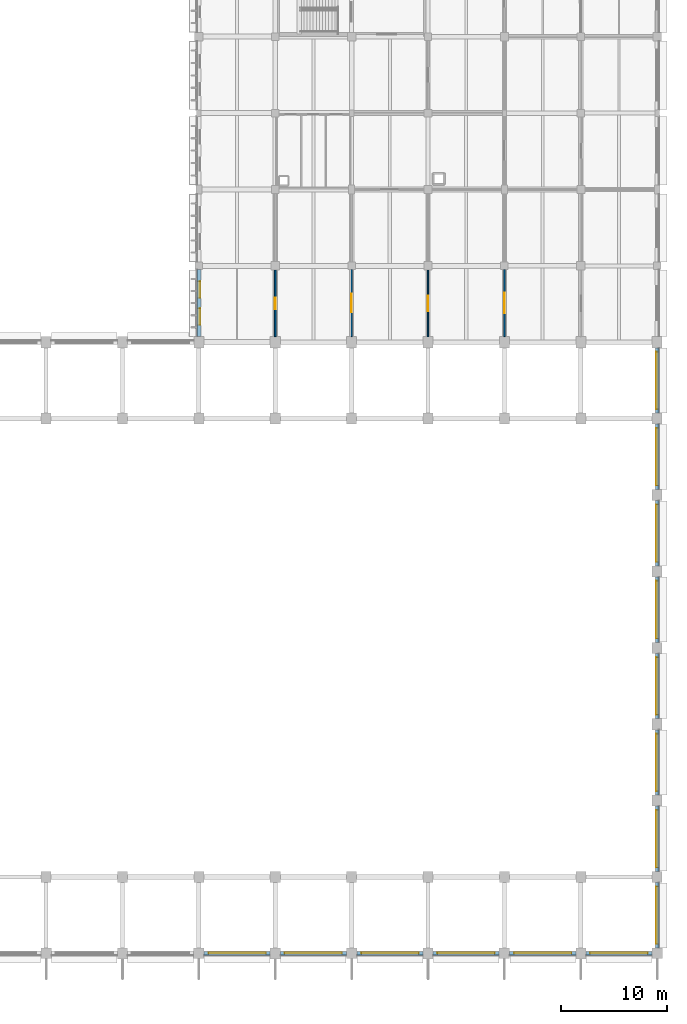
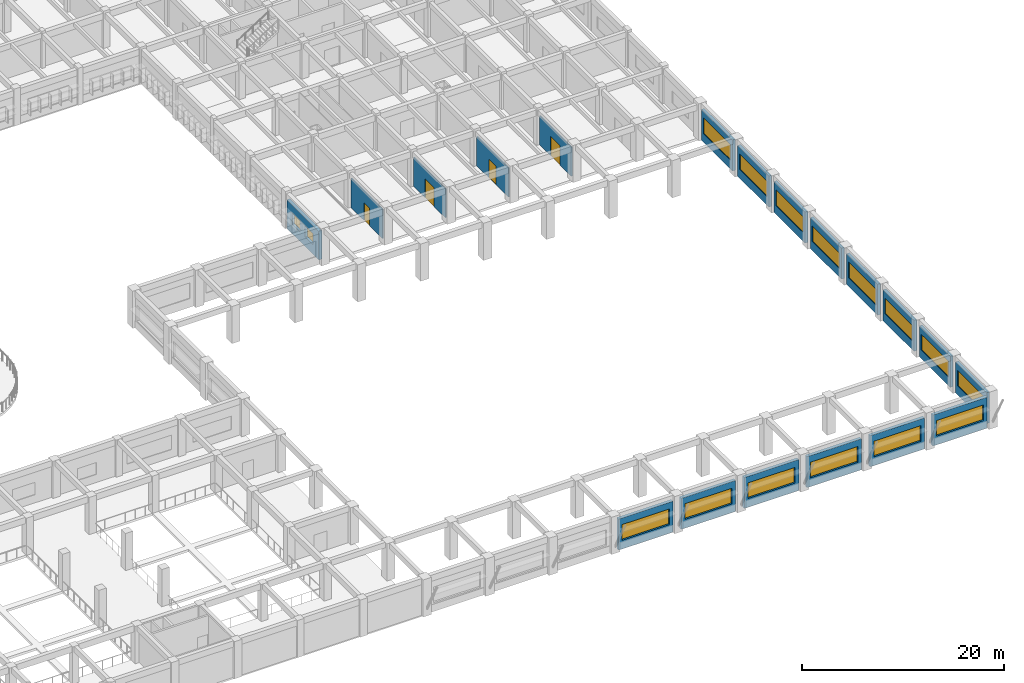
# One storey, part 49 of 61: 19 walls, 16 windows, 4 doors, 20 openings.
"""IFC4 building model written with IfcOpenShell, lengths in metres."""

import ifcopenshell
import ifcopenshell.guid

model = None  # the IFC model being written
_history = None  # IfcOwnerHistory: only IFC2X3 demands one
_inside = {}  # id of a spatial element -> (the spatial element, [elements in it])
_under = {}  # id of a project, library or spatial element -> (it, [spatial elements below it])
_declared = {}  # id of a project -> (the project, [libraries it declares])
_typed = {}  # id of a type object -> (the type object, [elements of that type])
_made_of = {}  # id of a material, layer set ... -> (it, [elements and type objects made of it])


def new_model(schema):
    """Start an empty IFC model of exactly this schema.

    Asked for "IFC4X3", IfcOpenShell would pick the latest addendum, in which some entities
    have other attributes; the version numbers below select the first issue.
    IFC2X3 requires an IfcOwnerHistory on every rooted entity: one is made here for all.
    """
    global model, _history
    if schema == "IFC4X3":
        model = ifcopenshell.file(schema_version=(4, 3, 0, 0))
    else:
        model = ifcopenshell.file(schema=schema)
    _inside.clear()
    _under.clear()
    _declared.clear()
    _typed.clear()
    _made_of.clear()
    _history = None
    if model.schema == "IFC2X3":
        org = make("IfcOrganization", Name="unknown")
        user = make(
            "IfcPersonAndOrganization",
            ThePerson=make("IfcPerson", FamilyName="unknown"),
            TheOrganization=org,
        )
        app = make(
            "IfcApplication",
            ApplicationDeveloper=org,
            Version="unknown",
            ApplicationFullName="unknown",
            ApplicationIdentifier="unknown",
        )
        _history = make(
            "IfcOwnerHistory",
            OwningUser=user,
            OwningApplication=app,
            ChangeAction="ADDED",
            CreationDate=0,
        )
    return model


def make(cls, **values):
    """One entity of the class cls with the attributes given. An attribute that is None is left unset."""
    return model.create_entity(
        cls, **{name: value for name, value in values.items() if value is not None}
    )


def rooted(cls, **values):
    """An entity with a GlobalId (a new one), such as an element, a storey or a relation."""
    return make(cls, GlobalId=ifcopenshell.guid.new(), OwnerHistory=_history, **values)


def si_unit(unit_type, name, prefix=None):
    """IfcSIUnit, for example si_unit("LENGTHUNIT", "METRE", prefix="MILLI")."""
    return make("IfcSIUnit", UnitType=unit_type, Prefix=prefix, Name=name)


def assignment(units):
    """IfcUnitAssignment: the units of a project."""
    return None if units is None else make("IfcUnitAssignment", Units=units)


def point(xyz):
    """IfcCartesianPoint."""
    return None if xyz is None else make("IfcCartesianPoint", Coordinates=xyz)


def direction(xyz):
    """IfcDirection."""
    return None if xyz is None else make("IfcDirection", DirectionRatios=xyz)


def frame(location, z_axis=None, x_axis=None):
    """IfcAxis2Placement3D, a coordinate frame: its origin and axes. An axis left out is left unset."""
    return make(
        "IfcAxis2Placement3D",
        Location=point(location),
        Axis=direction(z_axis),
        RefDirection=direction(x_axis),
    )


def frame_2d(location, x_axis=None):
    """IfcAxis2Placement2D, a coordinate frame in the plane: its origin and x axis."""
    return make(
        "IfcAxis2Placement2D", Location=point(location), RefDirection=direction(x_axis)
    )


def origin():
    """The frame at (0, 0, 0) with its axes left unset."""
    return frame((0.0, 0.0, 0.0))


def place(relative_to, where):
    """IfcLocalPlacement: puts the frame where relative to a parent placement (None: the world)."""
    return make(
        "IfcLocalPlacement", PlacementRelTo=relative_to, RelativePlacement=where
    )


def context(
    kind, dimensions, precision=None, world=None, true_north=None, identifier=None
):
    """IfcGeometricRepresentationContext, for example the 3D "Model" context."""
    return make(
        "IfcGeometricRepresentationContext",
        ContextIdentifier=identifier,
        ContextType=kind,
        CoordinateSpaceDimension=dimensions,
        Precision=precision,
        WorldCoordinateSystem=world,
        TrueNorth=true_north,
    )


def subcontext(parent, identifier, kind, view, scale=None):
    """IfcGeometricRepresentationSubContext, for example "Body" below "Model"."""
    return make(
        "IfcGeometricRepresentationSubContext",
        ContextIdentifier=identifier,
        ContextType=kind,
        ParentContext=parent,
        TargetScale=scale,
        TargetView=view,
    )


def project(units=None, contexts=None):
    """IfcProject with its units and contexts."""
    return rooted(
        "IfcProject",
        Name="project",
        RepresentationContexts=contexts,
        UnitsInContext=assignment(units),
    )


def spatial(cls, under=None, at=None, **own):
    """A site, building, storey or space (cls), placed at a placement, below another one or the project."""
    s = rooted(cls, ObjectPlacement=at, **own)
    if under is not None:
        _under.setdefault(under.id(), (under, []))[1].append(s)
    return s


def profile(cls, at=None, kind="AREA", **sizes):
    """A parametric profile (cls). Its sizes go by their IFC names, for example OverallWidth=200.0."""
    return make(cls, ProfileType=kind, Position=at, **sizes)


def rectangle(**sizes):
    """IfcRectangleProfileDef."""
    return profile("IfcRectangleProfileDef", **sizes)


def extrude(swept, where, along, depth):
    """IfcExtrudedAreaSolid: the profile swept, set in the frame where, extruded along a direction by depth."""
    return make(
        "IfcExtrudedAreaSolid",
        SweptArea=swept,
        Position=where,
        ExtrudedDirection=direction(along),
        Depth=depth,
    )


def shape(context_of_items, identifier, shape_type, items):
    """IfcShapeRepresentation: the items that make up one representation, for example the "Body"."""
    return make(
        "IfcShapeRepresentation",
        ContextOfItems=context_of_items,
        RepresentationIdentifier=identifier,
        RepresentationType=shape_type,
        Items=items,
    )


def material(Name=None, Category=None):
    """IfcMaterial."""
    return make("IfcMaterial", Name=Name, Category=Category)


def layer(
    of_material, thickness, ventilated=None, Name=None, Category=None, Priority=None
):
    """IfcMaterialLayer: one layer of a wall or slab, of a material (None: an air gap)."""
    return make(
        "IfcMaterialLayer",
        Material=of_material,
        LayerThickness=thickness,
        IsVentilated=ventilated,
        Name=Name,
        Category=Category,
        Priority=Priority,
    )


def layer_set(layers, Name=None):
    """IfcMaterialLayerSet."""
    return make("IfcMaterialLayerSet", MaterialLayers=layers, LayerSetName=Name)


def made_of(thing, what):
    """Note that an element or type object is made of a material, layer set ...; save() writes the relation."""
    if what is not None:
        _made_of.setdefault(what.id(), (what, []))[1].append(thing)
    return thing


def type_object(cls, material=None, **own):
    """A type object (cls), such as IfcWallType, which elements share."""
    return made_of(rooted(cls, **own), material)


def element(
    cls,
    number,
    at=None,
    inside=None,
    cuts=None,
    type_object=None,
    material=None,
    context=None,
    identifier="Body",
    shape_type=None,
    held_by="IfcProductDefinitionShape",
    body=None,
    shapes=None,
    **own,
):
    """One element of the class cls, such as IfcWall. Its Tag is "e" and its number.

    at: its placement. inside: the storey or other place that contains it. cuts: it is an
    opening in that element (IfcRelVoidsElement). A single representation is given by context,
    identifier, shape_type and body (its items); several are given by shapes. held_by: the class
    of the entity that holds the representations. save() writes the other relations.
    """
    e = rooted(cls, Tag="e%d" % number, ObjectPlacement=at, **own)
    if body is not None:
        shapes = [shape(context, identifier, shape_type, body)]
    if shapes is not None:
        e.Representation = make(held_by, Representations=shapes)
    if inside is not None:
        _inside.setdefault(inside.id(), (inside, []))[1].append(e)
    if cuts is not None:
        rooted(
            "IfcRelVoidsElement", RelatingBuildingElement=cuts, RelatedOpeningElement=e
        )
    if type_object is not None:
        _typed.setdefault(type_object.id(), (type_object, []))[1].append(e)
    return made_of(e, material)


def fill(opening, filler):
    """IfcRelFillsElement: the door or window that sits in an opening."""
    return rooted(
        "IfcRelFillsElement",
        RelatingOpeningElement=opening,
        RelatedBuildingElement=filler,
    )


def aggregate(whole, parts):
    """IfcRelAggregates: a whole, such as a stair, and the parts it consists of."""
    return rooted("IfcRelAggregates", RelatingObject=whole, RelatedObjects=parts)


def save(model, path):
    """Write the relations noted so far, then the file.

    IfcRelAggregates (storeys below a building ...), IfcRelContainedInSpatialStructure (elements
    in a storey), IfcRelDefinesByType, IfcRelAssociatesMaterial and IfcRelDeclares: one each for
    every whole, place, type object, material and project.
    """
    for whole, parts in _under.values():
        aggregate(whole, parts)
    for where, things in _inside.values():
        rooted(
            "IfcRelContainedInSpatialStructure",
            RelatedElements=things,
            RelatingStructure=where,
        )
    for kind, things in _typed.values():
        rooted("IfcRelDefinesByType", RelatedObjects=things, RelatingType=kind)
    for what, things in _made_of.values():
        rooted("IfcRelAssociatesMaterial", RelatedObjects=things, RelatingMaterial=what)
    for by, libraries in _declared.values():
        rooted("IfcRelDeclares", RelatingContext=by, RelatedDefinitions=libraries)
    model.write(path)


model = new_model("IFC4")

# Units and contexts
model_context = context("Model", 3, precision=1e-05, world=origin(), true_north=direction((0.0, 1.0)))
body_context = subcontext(model_context, "Body", "Model", "MODEL_VIEW")
ifc_project = project(units=[si_unit("LENGTHUNIT", "METRE"), si_unit("AREAUNIT", "SQUARE_METRE"), si_unit("VOLUMEUNIT", "CUBIC_METRE"), si_unit("PLANEANGLEUNIT", "RADIAN"), si_unit("MASSUNIT", "GRAM", prefix="KILO")], contexts=[model_context])

# Site, building, storey
site_placement = place(None, origin())
site = spatial("IfcSite", under=ifc_project, at=site_placement, CompositionType="ELEMENT")
building_placement = place(site_placement, origin())
building = spatial("IfcBuilding", under=site, at=building_placement, Name="Thalmaran Polytechnic", CompositionType="ELEMENT")
storey_placement = place(building_placement, frame((0.0, 0.0, 9.89990234375)))
storey = spatial("IfcBuildingStorey", under=building, at=storey_placement, Name="L02", CompositionType="ELEMENT", Elevation=9.89990234375)

# Wall, opening, window
ifc_material_1 = material(Name="Precast concrete C40/50", Category="concrete")
ifc_layer_1 = layer(ifc_material_1, 0.360107421875, Name="Precast concrete C40/50")
ifc_layer_set_1 = layer_set([ifc_layer_1], Name="Precast concrete C40/50")
wall_type_1 = type_object("IfcWallType", Name="WL-EW01", PredefinedType="STANDARD", material=ifc_layer_set_1)
wall_1_placement = place(storey_placement, frame((172.300048828125, 0.0, 0.0), z_axis=(0.0, 0.0, 1.0), x_axis=(-1.0, 0.0, 0.0)))
wall_1 = element("IfcWall", 1, at=wall_1_placement, inside=storey, type_object=wall_type_1, Name="Exterior Precast Facade Wall L02-069", PredefinedType="STANDARD", context=body_context, shape_type="SweptSolid", body=[
    extrude(rectangle(XDim=6.22509765625, YDim=0.360107421875, at=frame_2d((3.112548828125, 0.0))), origin(), (0.0, 0.0, 1.0), 3.7451171875),
])
opening_1_placement = place(wall_1_placement, frame((0.41259765625, 0.0, 1.050048828125)))
opening_1 = element("IfcOpeningElement", 2, at=opening_1_placement, cuts=wall_1, Name="Opening CL01", PredefinedType="OPENING", context=body_context, shape_type="SweptSolid", body=[
    extrude(rectangle(XDim=5.39990234375, YDim=1.89990234375, at=frame_2d((2.699951171875, 0.949951171875))), frame((0.0, 0.18994140625, 0.0), z_axis=(0.0, -1.0, 0.0), x_axis=(1.0, 0.0, 0.0)), (0.0, 0.0, 1.0), 0.380126953125),
])
ifc_material_2 = material(Name="Thermally broken aluminium and double low-E glass", Category="aluminium")
window_type_1 = type_object("IfcWindowType", Name="WN-CL01", PartitioningType="TRIPLE_PANEL_HORIZONTAL", PredefinedType="WINDOW", material=ifc_material_2)
window_1_placement = place(opening_1_placement, origin())
window_1 = element("IfcWindow", 3, at=window_1_placement, inside=storey, type_object=window_type_1, Name="Workshop Clerestory Window W-0269", OverallHeight=1.89990234375, OverallWidth=5.39990234375, PartitioningType="SINGLE_PANEL", PredefinedType="WINDOW", context=body_context, shape_type="SweptSolid", body=[
    extrude(rectangle(XDim=5.39990234375, YDim=1.89990234375, at=frame_2d((2.699951171875, 0.949951171875))), frame((0.0, -0.02001953125, 0.0), z_axis=(0.0, -1.0, 0.0), x_axis=(1.0, 0.0, 0.0)), (0.0, 0.0, 1.0), 0.06005859375),
])
fill(opening_1, window_1)

wall_2_placement = place(storey_placement, frame((165.125, 0.0, 0.0), z_axis=(0.0, 0.0, 1.0), x_axis=(-1.0, 0.0, 0.0)))
wall_2 = element("IfcWall", 4, at=wall_2_placement, inside=storey, type_object=wall_type_1, Name="Exterior Precast Facade Wall L02-070", PredefinedType="STANDARD", context=body_context, shape_type="SweptSolid", body=[
    extrude(rectangle(XDim=6.22509765625, YDim=0.360107421875, at=frame_2d((3.112548828125, 0.0))), origin(), (0.0, 0.0, 1.0), 3.7451171875),
])
opening_2_placement = place(wall_2_placement, frame((0.41259765625, 0.0, 1.050048828125)))
opening_2 = element("IfcOpeningElement", 5, at=opening_2_placement, cuts=wall_2, Name="Opening CL01", PredefinedType="OPENING", context=body_context, shape_type="SweptSolid", body=[
    extrude(rectangle(XDim=5.39990234375, YDim=1.89990234375, at=frame_2d((2.699951171875, 0.949951171875))), frame((0.0, 0.18994140625, 0.0), z_axis=(0.0, -1.0, 0.0), x_axis=(1.0, 0.0, 0.0)), (0.0, 0.0, 1.0), 0.380126953125),
])
window_2_placement = place(opening_2_placement, origin())
window_2 = element("IfcWindow", 6, at=window_2_placement, inside=storey, type_object=window_type_1, Name="Workshop Clerestory Window W-0270", OverallHeight=1.89990234375, OverallWidth=5.39990234375, PartitioningType="SINGLE_PANEL", PredefinedType="WINDOW", context=body_context, shape_type="SweptSolid", body=[
    extrude(rectangle(XDim=5.39990234375, YDim=1.89990234375, at=frame_2d((2.699951171875, 0.949951171875))), frame((0.0, -0.02001953125, 0.0), z_axis=(0.0, -1.0, 0.0), x_axis=(1.0, 0.0, 0.0)), (0.0, 0.0, 1.0), 0.06005859375),
])
fill(opening_2, window_2)

wall_3_placement = place(storey_placement, frame((157.89990234375, 0.0, 0.0), z_axis=(0.0, 0.0, 1.0), x_axis=(-1.0, 0.0, 0.0)))
wall_3 = element("IfcWall", 7, at=wall_3_placement, inside=storey, type_object=wall_type_1, Name="Exterior Precast Facade Wall L02-071", PredefinedType="STANDARD", context=body_context, shape_type="SweptSolid", body=[
    extrude(rectangle(XDim=6.224853515625, YDim=0.360107421875, at=frame_2d((3.1123046875, 0.0))), origin(), (0.0, 0.0, 1.0), 3.7451171875),
])
opening_3_placement = place(wall_3_placement, frame((0.41259765625, 0.0, 1.050048828125)))
opening_3 = element("IfcOpeningElement", 8, at=opening_3_placement, cuts=wall_3, Name="Opening CL01", PredefinedType="OPENING", context=body_context, shape_type="SweptSolid", body=[
    extrude(rectangle(XDim=5.39990234375, YDim=1.89990234375, at=frame_2d((2.699951171875, 0.949951171875))), frame((0.0, 0.18994140625, 0.0), z_axis=(0.0, -1.0, 0.0), x_axis=(1.0, 0.0, 0.0)), (0.0, 0.0, 1.0), 0.380126953125),
])
window_3_placement = place(opening_3_placement, origin())
window_3 = element("IfcWindow", 9, at=window_3_placement, inside=storey, type_object=window_type_1, Name="Workshop Clerestory Window W-0271", OverallHeight=1.89990234375, OverallWidth=5.39990234375, PartitioningType="SINGLE_PANEL", PredefinedType="WINDOW", context=body_context, shape_type="SweptSolid", body=[
    extrude(rectangle(XDim=5.39990234375, YDim=1.89990234375, at=frame_2d((2.699951171875, 0.949951171875))), frame((0.0, -0.02001953125, 0.0), z_axis=(0.0, -1.0, 0.0), x_axis=(1.0, 0.0, 0.0)), (0.0, 0.0, 1.0), 0.06005859375),
])
fill(opening_3, window_3)

wall_4_placement = place(storey_placement, frame((150.72509765625, 0.0, 0.0), z_axis=(0.0, 0.0, 1.0), x_axis=(-1.0, 0.0, 0.0)))
wall_4 = element("IfcWall", 10, at=wall_4_placement, inside=storey, type_object=wall_type_1, Name="Exterior Precast Facade Wall L02-072", PredefinedType="STANDARD", context=body_context, shape_type="SweptSolid", body=[
    extrude(rectangle(XDim=6.22509765625, YDim=0.360107421875, at=frame_2d((3.112548828125, 0.0))), origin(), (0.0, 0.0, 1.0), 3.7451171875),
])
opening_4_placement = place(wall_4_placement, frame((0.41259765625, 0.0, 1.050048828125)))
opening_4 = element("IfcOpeningElement", 11, at=opening_4_placement, cuts=wall_4, Name="Opening CL01", PredefinedType="OPENING", context=body_context, shape_type="SweptSolid", body=[
    extrude(rectangle(XDim=5.39990234375, YDim=1.89990234375, at=frame_2d((2.699951171875, 0.949951171875))), frame((0.0, 0.18994140625, 0.0), z_axis=(0.0, -1.0, 0.0), x_axis=(1.0, 0.0, 0.0)), (0.0, 0.0, 1.0), 0.380126953125),
])
window_4_placement = place(opening_4_placement, origin())
window_4 = element("IfcWindow", 12, at=window_4_placement, inside=storey, type_object=window_type_1, Name="Workshop Clerestory Window W-0272", OverallHeight=1.89990234375, OverallWidth=5.39990234375, PartitioningType="SINGLE_PANEL", PredefinedType="WINDOW", context=body_context, shape_type="SweptSolid", body=[
    extrude(rectangle(XDim=5.39990234375, YDim=1.89990234375, at=frame_2d((2.699951171875, 0.949951171875))), frame((0.0, -0.02001953125, 0.0), z_axis=(0.0, -1.0, 0.0), x_axis=(1.0, 0.0, 0.0)), (0.0, 0.0, 1.0), 0.06005859375),
])
fill(opening_4, window_4)

wall_5_placement = place(storey_placement, frame((143.5, 0.0, 0.0), z_axis=(0.0, 0.0, 1.0), x_axis=(-1.0, 0.0, 0.0)))
wall_5 = element("IfcWall", 13, at=wall_5_placement, inside=storey, type_object=wall_type_1, Name="Exterior Precast Facade Wall L02-073", PredefinedType="STANDARD", context=body_context, shape_type="SweptSolid", body=[
    extrude(rectangle(XDim=6.22509765625, YDim=0.360107421875, at=frame_2d((3.112548828125, 0.0))), origin(), (0.0, 0.0, 1.0), 3.7451171875),
])
opening_5_placement = place(wall_5_placement, frame((0.41259765625, 0.0, 1.050048828125)))
opening_5 = element("IfcOpeningElement", 14, at=opening_5_placement, cuts=wall_5, Name="Opening CL01", PredefinedType="OPENING", context=body_context, shape_type="SweptSolid", body=[
    extrude(rectangle(XDim=5.39990234375, YDim=1.89990234375, at=frame_2d((2.699951171875, 0.949951171875))), frame((0.0, 0.18994140625, 0.0), z_axis=(0.0, -1.0, 0.0), x_axis=(1.0, 0.0, 0.0)), (0.0, 0.0, 1.0), 0.380126953125),
])
window_5_placement = place(opening_5_placement, origin())
window_5 = element("IfcWindow", 15, at=window_5_placement, inside=storey, type_object=window_type_1, Name="Workshop Clerestory Window W-0273", OverallHeight=1.89990234375, OverallWidth=5.39990234375, PartitioningType="SINGLE_PANEL", PredefinedType="WINDOW", context=body_context, shape_type="SweptSolid", body=[
    extrude(rectangle(XDim=5.39990234375, YDim=1.89990234375, at=frame_2d((2.699951171875, 0.949951171875))), frame((0.0, -0.02001953125, 0.0), z_axis=(0.0, -1.0, 0.0), x_axis=(1.0, 0.0, 0.0)), (0.0, 0.0, 1.0), 0.06005859375),
])
fill(opening_5, window_5)

wall_6_placement = place(storey_placement, frame((136.324951171875, 0.0, 0.0), z_axis=(0.0, 0.0, 1.0), x_axis=(-1.0, 0.0, 0.0)))
wall_6 = element("IfcWall", 16, at=wall_6_placement, inside=storey, type_object=wall_type_1, Name="Exterior Precast Facade Wall L02-074", PredefinedType="STANDARD", context=body_context, shape_type="SweptSolid", body=[
    extrude(rectangle(XDim=6.224853515625, YDim=0.360107421875, at=frame_2d((3.1123046875, 0.0))), origin(), (0.0, 0.0, 1.0), 3.7451171875),
])
opening_6_placement = place(wall_6_placement, frame((0.41259765625, 0.0, 1.050048828125)))
opening_6 = element("IfcOpeningElement", 17, at=opening_6_placement, cuts=wall_6, Name="Opening CL01", PredefinedType="OPENING", context=body_context, shape_type="SweptSolid", body=[
    extrude(rectangle(XDim=5.39990234375, YDim=1.89990234375, at=frame_2d((2.699951171875, 0.949951171875))), frame((0.0, 0.18994140625, 0.0), z_axis=(0.0, -1.0, 0.0), x_axis=(1.0, 0.0, 0.0)), (0.0, 0.0, 1.0), 0.380126953125),
])
window_6_placement = place(opening_6_placement, origin())
window_6 = element("IfcWindow", 18, at=window_6_placement, inside=storey, type_object=window_type_1, Name="Workshop Clerestory Window W-0274", OverallHeight=1.89990234375, OverallWidth=5.39990234375, PartitioningType="SINGLE_PANEL", PredefinedType="WINDOW", context=body_context, shape_type="SweptSolid", body=[
    extrude(rectangle(XDim=5.39990234375, YDim=1.89990234375, at=frame_2d((2.699951171875, 0.949951171875))), frame((0.0, -0.02001953125, 0.0), z_axis=(0.0, -1.0, 0.0), x_axis=(1.0, 0.0, 0.0)), (0.0, 0.0, 1.0), 0.06005859375),
])
fill(opening_6, window_6)

# Wall, openings, windows
wall_7_placement = place(storey_placement, frame((129.60009765625, 58.125, 0.0), z_axis=(0.0, 0.0, 1.0), x_axis=(0.0, 1.0, 0.0)))
wall_7 = element("IfcWall", 19, at=wall_7_placement, inside=storey, type_object=wall_type_1, Name="Exterior Precast Facade Wall L02-159", PredefinedType="STANDARD", context=body_context, shape_type="SweptSolid", body=[
    extrude(rectangle(XDim=6.324951171875, YDim=0.360107421875, at=frame_2d((3.16259765625, 0.0))), origin(), (0.0, 0.0, 1.0), 3.460205078125),
])
opening_7_placement = place(wall_7_placement, frame((1.12255859375, 0.0, 1.14990234375)))
opening_7 = element("IfcOpeningElement", 20, at=opening_7_placement, cuts=wall_7, Name="Opening VW09", PredefinedType="OPENING", context=body_context, shape_type="SweptSolid", body=[
    extrude(rectangle(XDim=1.550048828125, YDim=1.35009765625, at=frame_2d((0.77490234375, 0.675048828125))), frame((0.0, 0.18994140625, 0.0), z_axis=(0.0, -1.0, 0.0), x_axis=(1.0, 0.0, 0.0)), (0.0, 0.0, 1.0), 0.380126953125),
])
opening_8_placement = place(wall_7_placement, frame((3.652587890625, 0.0, 1.14990234375)))
opening_8 = element("IfcOpeningElement", 21, at=opening_8_placement, cuts=wall_7, Name="Opening VW09", PredefinedType="OPENING", context=body_context, shape_type="SweptSolid", body=[
    extrude(rectangle(XDim=1.550048828125, YDim=1.35009765625, at=frame_2d((0.77490234375, 0.675048828125))), frame((0.0, 0.18994140625, 0.0), z_axis=(0.0, -1.0, 0.0), x_axis=(1.0, 0.0, 0.0)), (0.0, 0.0, 1.0), 0.380126953125),
])
window_type_2 = type_object("IfcWindowType", Name="WN-VZ09", PartitioningType="SINGLE_PANEL", PredefinedType="WINDOW", material=ifc_material_2)
window_7_placement = place(opening_7_placement, origin())
window_7 = element("IfcWindow", 22, at=window_7_placement, inside=storey, type_object=window_type_2, Name="Deep-Set Solar-Screened Window W-0372", OverallHeight=1.35009765625, OverallWidth=1.550048828125, PartitioningType="SINGLE_PANEL", PredefinedType="WINDOW", context=body_context, shape_type="SweptSolid", body=[
    extrude(rectangle(XDim=1.550048828125, YDim=1.35009765625, at=frame_2d((0.77490234375, 0.675048828125))), frame((0.0, -0.080078125, 0.0), z_axis=(0.0, -1.0, 0.0), x_axis=(1.0, 0.0, 0.0)), (0.0, 0.0, 1.0), 0.06005859375),
])
fill(opening_7, window_7)
window_8_placement = place(opening_8_placement, origin())
window_8 = element("IfcWindow", 23, at=window_8_placement, inside=storey, type_object=window_type_2, Name="Deep-Set Solar-Screened Window W-0373", OverallHeight=1.35009765625, OverallWidth=1.550048828125, PartitioningType="SINGLE_PANEL", PredefinedType="WINDOW", context=body_context, shape_type="SweptSolid", body=[
    extrude(rectangle(XDim=1.550048828125, YDim=1.35009765625, at=frame_2d((0.77490234375, 0.675048828125))), frame((0.0, -0.080078125, 0.0), z_axis=(0.0, -1.0, 0.0), x_axis=(1.0, 0.0, 0.0)), (0.0, 0.0, 1.0), 0.06005859375),
])
fill(opening_8, window_8)

# Wall, opening, window
ifc_layer_2 = layer(ifc_material_1, 0.330078125, Name="Precast concrete C40/50")
ifc_layer_set_2 = layer_set([ifc_layer_2], Name="Precast concrete C40/50")
wall_type_2 = type_object("IfcWallType", Name="WL-EW02", PredefinedType="STANDARD", material=ifc_layer_set_2)
wall_8_placement = place(storey_placement, frame((172.800048828125, 57.074951171875, 0.0), z_axis=(0.0, 0.0, 1.0), x_axis=(0.0, -1.0, 0.0)))
wall_8 = element("IfcWall", 24, at=wall_8_placement, inside=storey, type_object=wall_type_2, Name="Exterior Precast Facade Wall L02-061", PredefinedType="STANDARD", context=body_context, shape_type="SweptSolid", body=[
    extrude(rectangle(XDim=6.14990234375, YDim=0.330078125, at=frame_2d((3.074951171875, 0.0))), origin(), (0.0, 0.0, 1.0), 3.7451171875),
])
opening_9_placement = place(wall_8_placement, frame((0.375, 0.0, 1.050048828125)))
opening_9 = element("IfcOpeningElement", 25, at=opening_9_placement, cuts=wall_8, Name="Opening CL01", PredefinedType="OPENING", context=body_context, shape_type="SweptSolid", body=[
    extrude(rectangle(XDim=5.39990234375, YDim=1.89990234375, at=frame_2d((2.699951171875, 0.949951171875))), frame((0.0, 0.175048828125, 0.0), z_axis=(0.0, -1.0, 0.0), x_axis=(1.0, 0.0, 0.0)), (0.0, 0.0, 1.0), 0.35009765625),
])
window_9_placement = place(opening_9_placement, origin())
window_9 = element("IfcWindow", 26, at=window_9_placement, inside=storey, type_object=window_type_1, Name="Workshop Clerestory Window W-0261", OverallHeight=1.89990234375, OverallWidth=5.39990234375, PartitioningType="SINGLE_PANEL", PredefinedType="WINDOW", context=body_context, shape_type="SweptSolid", body=[
    extrude(rectangle(XDim=5.39990234375, YDim=1.89990234375, at=frame_2d((2.699951171875, 0.949951171875))), frame((0.0, -0.02001953125, 0.0), z_axis=(0.0, -1.0, 0.0), x_axis=(1.0, 0.0, 0.0)), (0.0, 0.0, 1.0), 0.06005859375),
])
fill(opening_9, window_9)

wall_9_placement = place(storey_placement, frame((172.800048828125, 49.875, 0.0), z_axis=(0.0, 0.0, 1.0), x_axis=(0.0, -1.0, 0.0)))
wall_9 = element("IfcWall", 27, at=wall_9_placement, inside=storey, type_object=wall_type_2, Name="Exterior Precast Facade Wall L02-062", PredefinedType="STANDARD", context=body_context, shape_type="SweptSolid", body=[
    extrude(rectangle(XDim=6.14990234375, YDim=0.330078125, at=frame_2d((3.074951171875, 0.0))), origin(), (0.0, 0.0, 1.0), 3.7451171875),
])
opening_10_placement = place(wall_9_placement, frame((0.375, 0.0, 1.050048828125)))
opening_10 = element("IfcOpeningElement", 28, at=opening_10_placement, cuts=wall_9, Name="Opening CL01", PredefinedType="OPENING", context=body_context, shape_type="SweptSolid", body=[
    extrude(rectangle(XDim=5.39990234375, YDim=1.89990234375, at=frame_2d((2.699951171875, 0.949951171875))), frame((0.0, 0.175048828125, 0.0), z_axis=(0.0, -1.0, 0.0), x_axis=(1.0, 0.0, 0.0)), (0.0, 0.0, 1.0), 0.35009765625),
])
window_10_placement = place(opening_10_placement, origin())
window_10 = element("IfcWindow", 29, at=window_10_placement, inside=storey, type_object=window_type_1, Name="Workshop Clerestory Window W-0262", OverallHeight=1.89990234375, OverallWidth=5.39990234375, PartitioningType="SINGLE_PANEL", PredefinedType="WINDOW", context=body_context, shape_type="SweptSolid", body=[
    extrude(rectangle(XDim=5.39990234375, YDim=1.89990234375, at=frame_2d((2.699951171875, 0.949951171875))), frame((0.0, -0.02001953125, 0.0), z_axis=(0.0, -1.0, 0.0), x_axis=(1.0, 0.0, 0.0)), (0.0, 0.0, 1.0), 0.06005859375),
])
fill(opening_10, window_10)

wall_10_placement = place(storey_placement, frame((172.800048828125, 42.675048828125, 0.0), z_axis=(0.0, 0.0, 1.0), x_axis=(0.0, -1.0, 0.0)))
wall_10 = element("IfcWall", 30, at=wall_10_placement, inside=storey, type_object=wall_type_2, Name="Exterior Precast Facade Wall L02-063", PredefinedType="STANDARD", context=body_context, shape_type="SweptSolid", body=[
    extrude(rectangle(XDim=6.150146484375, YDim=0.330078125, at=frame_2d((3.0751953125, 0.0))), origin(), (0.0, 0.0, 1.0), 3.7451171875),
])
opening_11_placement = place(wall_10_placement, frame((0.375, 0.0, 1.050048828125)))
opening_11 = element("IfcOpeningElement", 31, at=opening_11_placement, cuts=wall_10, Name="Opening CL01", PredefinedType="OPENING", context=body_context, shape_type="SweptSolid", body=[
    extrude(rectangle(XDim=5.39990234375, YDim=1.89990234375, at=frame_2d((2.699951171875, 0.949951171875))), frame((0.0, 0.175048828125, 0.0), z_axis=(0.0, -1.0, 0.0), x_axis=(1.0, 0.0, 0.0)), (0.0, 0.0, 1.0), 0.35009765625),
])
window_11_placement = place(opening_11_placement, origin())
window_11 = element("IfcWindow", 32, at=window_11_placement, inside=storey, type_object=window_type_1, Name="Workshop Clerestory Window W-0263", OverallHeight=1.89990234375, OverallWidth=5.39990234375, PartitioningType="SINGLE_PANEL", PredefinedType="WINDOW", context=body_context, shape_type="SweptSolid", body=[
    extrude(rectangle(XDim=5.39990234375, YDim=1.89990234375, at=frame_2d((2.699951171875, 0.949951171875))), frame((0.0, -0.02001953125, 0.0), z_axis=(0.0, -1.0, 0.0), x_axis=(1.0, 0.0, 0.0)), (0.0, 0.0, 1.0), 0.06005859375),
])
fill(opening_11, window_11)

wall_11_placement = place(storey_placement, frame((172.800048828125, 35.47509765625, 0.0), z_axis=(0.0, 0.0, 1.0), x_axis=(0.0, -1.0, 0.0)))
wall_11 = element("IfcWall", 33, at=wall_11_placement, inside=storey, type_object=wall_type_2, Name="Exterior Precast Facade Wall L02-064", PredefinedType="STANDARD", context=body_context, shape_type="SweptSolid", body=[
    extrude(rectangle(XDim=6.150146484375, YDim=0.330078125, at=frame_2d((3.0751953125, 0.0))), origin(), (0.0, 0.0, 1.0), 3.7451171875),
])
opening_12_placement = place(wall_11_placement, frame((0.375, 0.0, 1.050048828125)))
opening_12 = element("IfcOpeningElement", 34, at=opening_12_placement, cuts=wall_11, Name="Opening CL01", PredefinedType="OPENING", context=body_context, shape_type="SweptSolid", body=[
    extrude(rectangle(XDim=5.39990234375, YDim=1.89990234375, at=frame_2d((2.699951171875, 0.949951171875))), frame((0.0, 0.175048828125, 0.0), z_axis=(0.0, -1.0, 0.0), x_axis=(1.0, 0.0, 0.0)), (0.0, 0.0, 1.0), 0.35009765625),
])
window_12_placement = place(opening_12_placement, origin())
window_12 = element("IfcWindow", 35, at=window_12_placement, inside=storey, type_object=window_type_1, Name="Workshop Clerestory Window W-0264", OverallHeight=1.89990234375, OverallWidth=5.39990234375, PartitioningType="SINGLE_PANEL", PredefinedType="WINDOW", context=body_context, shape_type="SweptSolid", body=[
    extrude(rectangle(XDim=5.39990234375, YDim=1.89990234375, at=frame_2d((2.699951171875, 0.949951171875))), frame((0.0, -0.02001953125, 0.0), z_axis=(0.0, -1.0, 0.0), x_axis=(1.0, 0.0, 0.0)), (0.0, 0.0, 1.0), 0.06005859375),
])
fill(opening_12, window_12)

wall_12_placement = place(storey_placement, frame((172.800048828125, 28.27490234375, 0.0), z_axis=(0.0, 0.0, 1.0), x_axis=(0.0, -1.0, 0.0)))
wall_12 = element("IfcWall", 36, at=wall_12_placement, inside=storey, type_object=wall_type_2, Name="Exterior Precast Facade Wall L02-065", PredefinedType="STANDARD", context=body_context, shape_type="SweptSolid", body=[
    extrude(rectangle(XDim=6.14990234375, YDim=0.330078125, at=frame_2d((3.074951171875, 0.0))), origin(), (0.0, 0.0, 1.0), 3.7451171875),
])
opening_13_placement = place(wall_12_placement, frame((0.375, 0.0, 1.050048828125)))
opening_13 = element("IfcOpeningElement", 37, at=opening_13_placement, cuts=wall_12, Name="Opening CL01", PredefinedType="OPENING", context=body_context, shape_type="SweptSolid", body=[
    extrude(rectangle(XDim=5.39990234375, YDim=1.89990234375, at=frame_2d((2.699951171875, 0.949951171875))), frame((0.0, 0.175048828125, 0.0), z_axis=(0.0, -1.0, 0.0), x_axis=(1.0, 0.0, 0.0)), (0.0, 0.0, 1.0), 0.35009765625),
])
window_13_placement = place(opening_13_placement, origin())
window_13 = element("IfcWindow", 38, at=window_13_placement, inside=storey, type_object=window_type_1, Name="Workshop Clerestory Window W-0265", OverallHeight=1.89990234375, OverallWidth=5.39990234375, PartitioningType="SINGLE_PANEL", PredefinedType="WINDOW", context=body_context, shape_type="SweptSolid", body=[
    extrude(rectangle(XDim=5.39990234375, YDim=1.89990234375, at=frame_2d((2.699951171875, 0.949951171875))), frame((0.0, -0.02001953125, 0.0), z_axis=(0.0, -1.0, 0.0), x_axis=(1.0, 0.0, 0.0)), (0.0, 0.0, 1.0), 0.06005859375),
])
fill(opening_13, window_13)

wall_13_placement = place(storey_placement, frame((172.800048828125, 21.074951171875, 0.0), z_axis=(0.0, 0.0, 1.0), x_axis=(0.0, -1.0, 0.0)))
wall_13 = element("IfcWall", 39, at=wall_13_placement, inside=storey, type_object=wall_type_2, Name="Exterior Precast Facade Wall L02-066", PredefinedType="STANDARD", context=body_context, shape_type="SweptSolid", body=[
    extrude(rectangle(XDim=6.14990234375, YDim=0.330078125, at=frame_2d((3.074951171875, 0.0))), origin(), (0.0, 0.0, 1.0), 3.7451171875),
])
opening_14_placement = place(wall_13_placement, frame((0.375, 0.0, 1.050048828125)))
opening_14 = element("IfcOpeningElement", 40, at=opening_14_placement, cuts=wall_13, Name="Opening CL01", PredefinedType="OPENING", context=body_context, shape_type="SweptSolid", body=[
    extrude(rectangle(XDim=5.39990234375, YDim=1.89990234375, at=frame_2d((2.699951171875, 0.949951171875))), frame((0.0, 0.175048828125, 0.0), z_axis=(0.0, -1.0, 0.0), x_axis=(1.0, 0.0, 0.0)), (0.0, 0.0, 1.0), 0.35009765625),
])
window_14_placement = place(opening_14_placement, origin())
window_14 = element("IfcWindow", 41, at=window_14_placement, inside=storey, type_object=window_type_1, Name="Workshop Clerestory Window W-0266", OverallHeight=1.89990234375, OverallWidth=5.39990234375, PartitioningType="SINGLE_PANEL", PredefinedType="WINDOW", context=body_context, shape_type="SweptSolid", body=[
    extrude(rectangle(XDim=5.39990234375, YDim=1.89990234375, at=frame_2d((2.699951171875, 0.949951171875))), frame((0.0, -0.02001953125, 0.0), z_axis=(0.0, -1.0, 0.0), x_axis=(1.0, 0.0, 0.0)), (0.0, 0.0, 1.0), 0.06005859375),
])
fill(opening_14, window_14)

wall_14_placement = place(storey_placement, frame((172.800048828125, 13.875, 0.0), z_axis=(0.0, 0.0, 1.0), x_axis=(0.0, -1.0, 0.0)))
wall_14 = element("IfcWall", 42, at=wall_14_placement, inside=storey, type_object=wall_type_2, Name="Exterior Precast Facade Wall L02-067", PredefinedType="STANDARD", context=body_context, shape_type="SweptSolid", body=[
    extrude(rectangle(XDim=6.14990234375, YDim=0.330078125, at=frame_2d((3.074951171875, 0.0))), origin(), (0.0, 0.0, 1.0), 3.7451171875),
])
opening_15_placement = place(wall_14_placement, frame((0.375, 0.0, 1.050048828125)))
opening_15 = element("IfcOpeningElement", 43, at=opening_15_placement, cuts=wall_14, Name="Opening CL01", PredefinedType="OPENING", context=body_context, shape_type="SweptSolid", body=[
    extrude(rectangle(XDim=5.39990234375, YDim=1.89990234375, at=frame_2d((2.699951171875, 0.949951171875))), frame((0.0, 0.175048828125, 0.0), z_axis=(0.0, -1.0, 0.0), x_axis=(1.0, 0.0, 0.0)), (0.0, 0.0, 1.0), 0.35009765625),
])
window_15_placement = place(opening_15_placement, origin())
window_15 = element("IfcWindow", 44, at=window_15_placement, inside=storey, type_object=window_type_1, Name="Workshop Clerestory Window W-0267", OverallHeight=1.89990234375, OverallWidth=5.39990234375, PartitioningType="SINGLE_PANEL", PredefinedType="WINDOW", context=body_context, shape_type="SweptSolid", body=[
    extrude(rectangle(XDim=5.39990234375, YDim=1.89990234375, at=frame_2d((2.699951171875, 0.949951171875))), frame((0.0, -0.02001953125, 0.0), z_axis=(0.0, -1.0, 0.0), x_axis=(1.0, 0.0, 0.0)), (0.0, 0.0, 1.0), 0.06005859375),
])
fill(opening_15, window_15)

wall_15_placement = place(storey_placement, frame((172.800048828125, 6.675048828125, 0.0), z_axis=(0.0, 0.0, 1.0), x_axis=(0.0, -1.0, 0.0)))
wall_15 = element("IfcWall", 45, at=wall_15_placement, inside=storey, type_object=wall_type_2, Name="Exterior Precast Facade Wall L02-068", PredefinedType="STANDARD", context=body_context, shape_type="SweptSolid", body=[
    extrude(rectangle(XDim=6.175048828125, YDim=0.330078125, at=frame_2d((3.08740234375, 0.0))), origin(), (0.0, 0.0, 1.0), 3.7451171875),
])
opening_16_placement = place(wall_15_placement, frame((0.387451171875, 0.0, 1.050048828125)))
opening_16 = element("IfcOpeningElement", 46, at=opening_16_placement, cuts=wall_15, Name="Opening CL01", PredefinedType="OPENING", context=body_context, shape_type="SweptSolid", body=[
    extrude(rectangle(XDim=5.39990234375, YDim=1.89990234375, at=frame_2d((2.699951171875, 0.949951171875))), frame((0.0, 0.175048828125, 0.0), z_axis=(0.0, -1.0, 0.0), x_axis=(1.0, 0.0, 0.0)), (0.0, 0.0, 1.0), 0.35009765625),
])
window_16_placement = place(opening_16_placement, origin())
window_16 = element("IfcWindow", 47, at=window_16_placement, inside=storey, type_object=window_type_1, Name="Workshop Clerestory Window W-0268", OverallHeight=1.89990234375, OverallWidth=5.39990234375, PartitioningType="SINGLE_PANEL", PredefinedType="WINDOW", context=body_context, shape_type="SweptSolid", body=[
    extrude(rectangle(XDim=5.39990234375, YDim=1.89990234375, at=frame_2d((2.699951171875, 0.949951171875))), frame((0.0, -0.02001953125, 0.0), z_axis=(0.0, -1.0, 0.0), x_axis=(1.0, 0.0, 0.0)), (0.0, 0.0, 1.0), 0.06005859375),
])
fill(opening_16, window_16)

# Wall, opening, door
ifc_material_3 = material(Name="Gypsum acoustic partition")
ifc_layer_3 = layer(ifc_material_3, 0.14501953125, Name="Gypsum acoustic partition")
ifc_layer_set_3 = layer_set([ifc_layer_3], Name="Gypsum acoustic partition")
wall_type_3 = type_object("IfcWallType", Name="WL-IW06", PredefinedType="PARTITIONING", material=ifc_layer_set_3)
wall_16_placement = place(storey_placement, frame((136.800048828125, 58.1298828125, 0.0), z_axis=(0.0, 0.0, 1.0), x_axis=(0.0, 1.0, 0.0)))
wall_16 = element("IfcWall", 48, at=wall_16_placement, inside=storey, type_object=wall_type_3, Name="Interior Partition IW06 L02-113", PredefinedType="PARTITIONING", context=body_context, shape_type="SweptSolid", body=[
    extrude(rectangle(XDim=6.275146484375, YDim=0.14501953125, at=frame_2d((3.1376953125, 0.0))), origin(), (0.0, 0.0, 1.0), 3.525146484375),
])
opening_17_placement = place(wall_16_placement, frame((2.58740234375, 0.0, 0.0)))
opening_17 = element("IfcOpeningElement", 49, at=opening_17_placement, cuts=wall_16, Name="Opening D-L02-033-5-01-1", PredefinedType="OPENING", context=body_context, shape_type="SweptSolid", body=[
    extrude(rectangle(XDim=1.10009765625, YDim=2.14990234375, at=frame_2d((0.550048828125, 1.074951171875))), frame((0.0, 0.08251953125, 0.0), z_axis=(0.0, -1.0, 0.0), x_axis=(1.0, 0.0, 0.0)), (0.0, 0.0, 1.0), 0.1650390625),
])
ifc_material_4 = material(Name="Powder-coated fire-rated steel", Category="steel")
door_type_1 = type_object("IfcDoorType", Name="DR-FD07", OperationType="NOTDEFINED", PredefinedType="DOOR", material=ifc_material_4)
door_1_placement = place(opening_17_placement, origin())
door_1 = element("IfcDoor", 50, at=door_1_placement, inside=storey, type_object=door_type_1, Name="Product Design Studio L02-01 Door 1", OperationType="SINGLE_SWING_RIGHT", OverallHeight=2.14990234375, OverallWidth=1.10009765625, PredefinedType="DOOR", context=body_context, shape_type="SweptSolid", body=[
    extrude(rectangle(XDim=1.10009765625, YDim=2.14990234375, at=frame_2d((0.550048828125, 1.074951171875))), frame((0.0, 0.02490234375, 0.0), z_axis=(0.0, -1.0, 0.0), x_axis=(1.0, 0.0, 0.0)), (0.0, 0.0, 1.0), 0.050048828125),
])
fill(opening_17, door_1)

ifc_layer_4 = layer(ifc_material_3, 0.1298828125, Name="Gypsum acoustic partition")
ifc_layer_set_4 = layer_set([ifc_layer_4], Name="Gypsum acoustic partition")
wall_type_4 = type_object("IfcWallType", Name="WL-IW07", PredefinedType="PARTITIONING", material=ifc_layer_set_4)
wall_17_placement = place(storey_placement, frame((151.199951171875, 58.1298828125, 0.0), z_axis=(0.0, 0.0, 1.0), x_axis=(0.0, 1.0, 0.0)))
wall_17 = element("IfcWall", 51, at=wall_17_placement, inside=storey, type_object=wall_type_4, Name="Interior Partition IW07 L02-126", PredefinedType="PARTITIONING", context=body_context, shape_type="SweptSolid", body=[
    extrude(rectangle(XDim=6.275146484375, YDim=0.1298828125, at=frame_2d((3.1376953125, 0.0))), origin(), (0.0, 0.0, 1.0), 3.525146484375),
])
opening_18_placement = place(wall_17_placement, frame((2.3974609375, 0.0, 0.0)))
opening_18 = element("IfcOpeningElement", 52, at=opening_18_placement, cuts=wall_17, Name="Opening D-L02-040-5-08-1", PredefinedType="OPENING", context=body_context, shape_type="SweptSolid", body=[
    extrude(rectangle(XDim=1.47998046875, YDim=2.280029296875, at=frame_2d((0.739990234375, 1.14013671875))), frame((0.0, 0.074951171875, 0.0), z_axis=(0.0, -1.0, 0.0), x_axis=(1.0, 0.0, 0.0)), (0.0, 0.0, 1.0), 0.14990234375),
])
door_type_2 = type_object("IfcDoorType", Name="DR-ZD09", OperationType="NOTDEFINED", PredefinedType="DOOR", material=ifc_material_4)
door_2_placement = place(opening_18_placement, origin())
door_2 = element("IfcDoor", 53, at=door_2_placement, inside=storey, type_object=door_type_2, Name="Seminar Room L02-08 Door 1", OperationType="SINGLE_SWING_LEFT", OverallHeight=2.280029296875, OverallWidth=1.47998046875, PredefinedType="DOOR", context=body_context, shape_type="SweptSolid", body=[
    extrude(rectangle(XDim=1.47998046875, YDim=2.280029296875, at=frame_2d((0.739990234375, 1.14013671875))), frame((0.0, 0.02490234375, 0.0), z_axis=(0.0, -1.0, 0.0), x_axis=(1.0, 0.0, 0.0)), (0.0, 0.0, 1.0), 0.050048828125),
])
fill(opening_18, door_2)

wall_18_placement = place(storey_placement, frame((158.39990234375, 58.1298828125, 0.0), z_axis=(0.0, 0.0, 1.0), x_axis=(0.0, 1.0, 0.0)))
wall_18 = element("IfcWall", 54, at=wall_18_placement, inside=storey, type_object=wall_type_4, Name="Interior Partition IW07 L02-136", PredefinedType="PARTITIONING", context=body_context, shape_type="SweptSolid", body=[
    extrude(rectangle(XDim=6.315185546875, YDim=0.1298828125, at=frame_2d((3.15771484375, 0.0))), origin(), (0.0, 0.0, 1.0), 3.525146484375),
])
opening_19_placement = place(wall_18_placement, frame((2.197509765625, 0.0, 0.0)))
opening_19 = element("IfcOpeningElement", 55, at=opening_19_placement, cuts=wall_18, Name="Opening D-L02-044-5-12-1", PredefinedType="OPENING", context=body_context, shape_type="SweptSolid", body=[
    extrude(rectangle(XDim=1.919921875, YDim=2.35009765625, at=frame_2d((0.9599609375, 1.175048828125))), frame((0.0, 0.074951171875, 0.0), z_axis=(0.0, -1.0, 0.0), x_axis=(1.0, 0.0, 0.0)), (0.0, 0.0, 1.0), 0.14990234375),
])
ifc_material_5 = material(Name="Acoustic hardwood and vision glass", Category="wood")
door_type_3 = type_object("IfcDoorType", Name="DR-ZD01", OperationType="NOTDEFINED", PredefinedType="DOOR", material=ifc_material_5)
door_3_placement = place(opening_19_placement, origin())
door_3 = element("IfcDoor", 56, at=door_3_placement, inside=storey, type_object=door_type_3, Name="Photonics and Electronics Laboratory L02-12 Door 1", OperationType="SINGLE_SWING_LEFT", OverallHeight=2.35009765625, OverallWidth=1.919921875, PredefinedType="DOOR", context=body_context, shape_type="SweptSolid", body=[
    extrude(rectangle(XDim=1.919921875, YDim=2.35009765625, at=frame_2d((0.9599609375, 1.175048828125))), frame((0.0, 0.02490234375, 0.0), z_axis=(0.0, -1.0, 0.0), x_axis=(1.0, 0.0, 0.0)), (0.0, 0.0, 1.0), 0.050048828125),
])
fill(opening_19, door_3)

ifc_layer_5 = layer(ifc_material_3, 0.114990234375, Name="Gypsum acoustic partition")
ifc_layer_set_5 = layer_set([ifc_layer_5], Name="Gypsum acoustic partition")
wall_type_5 = type_object("IfcWallType", Name="WL-IW08", PredefinedType="PARTITIONING", material=ifc_layer_set_5)
wall_19_placement = place(storey_placement, frame((144.0, 58.1298828125, 0.0), z_axis=(0.0, 0.0, 1.0), x_axis=(0.0, 1.0, 0.0)))
wall_19 = element("IfcWall", 57, at=wall_19_placement, inside=storey, type_object=wall_type_5, Name="Interior Partition IW08 L02-119", PredefinedType="PARTITIONING", context=body_context, shape_type="SweptSolid", body=[
    extrude(rectangle(XDim=6.315185546875, YDim=0.114990234375, at=frame_2d((3.15771484375, 0.0))), origin(), (0.0, 0.0, 1.0), 3.525146484375),
])
opening_20_placement = place(wall_19_placement, frame((2.277587890625, 0.0, 0.0)))
opening_20 = element("IfcOpeningElement", 58, at=opening_20_placement, cuts=wall_19, Name="Opening D-L02-036-5-04-1", PredefinedType="OPENING", context=body_context, shape_type="SweptSolid", body=[
    extrude(rectangle(XDim=1.760009765625, YDim=2.300048828125, at=frame_2d((0.8798828125, 1.14990234375))), frame((0.0, 0.0673828125, 0.0), z_axis=(0.0, -1.0, 0.0), x_axis=(1.0, 0.0, 0.0)), (0.0, 0.0, 1.0), 0.135009765625),
])
door_type_4 = type_object("IfcDoorType", Name="DR-ZD02", OperationType="NOTDEFINED", PredefinedType="DOOR", material=ifc_material_5)
door_4_placement = place(opening_20_placement, origin())
door_4 = element("IfcDoor", 59, at=door_4_placement, inside=storey, type_object=door_type_4, Name="Robotics and Automation Laboratory L02-04 Door 1", OperationType="SINGLE_SWING_LEFT", OverallHeight=2.300048828125, OverallWidth=1.760009765625, PredefinedType="DOOR", context=body_context, shape_type="SweptSolid", body=[
    extrude(rectangle(XDim=1.760009765625, YDim=2.300048828125, at=frame_2d((0.8798828125, 1.14990234375))), frame((0.0, 0.02490234375, 0.0), z_axis=(0.0, -1.0, 0.0), x_axis=(1.0, 0.0, 0.0)), (0.0, 0.0, 1.0), 0.050048828125),
])
fill(opening_20, door_4)

save(model, "model.ifc")
